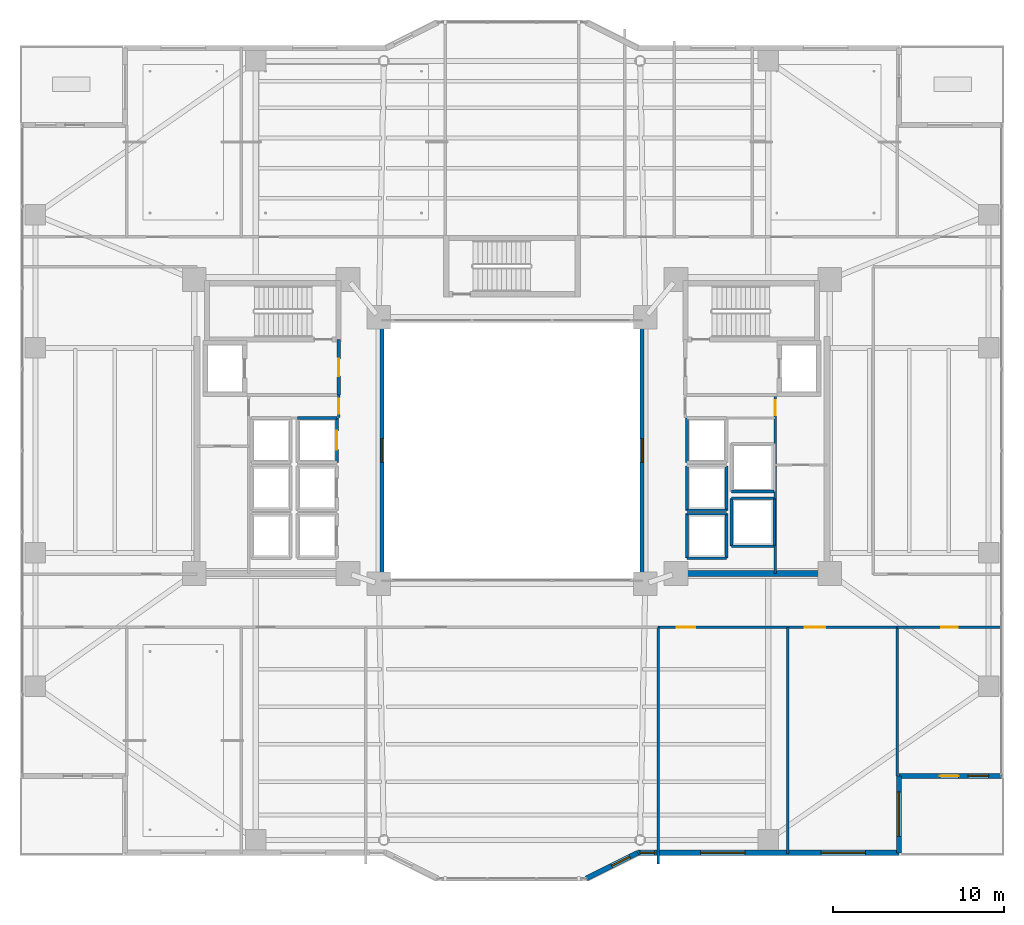
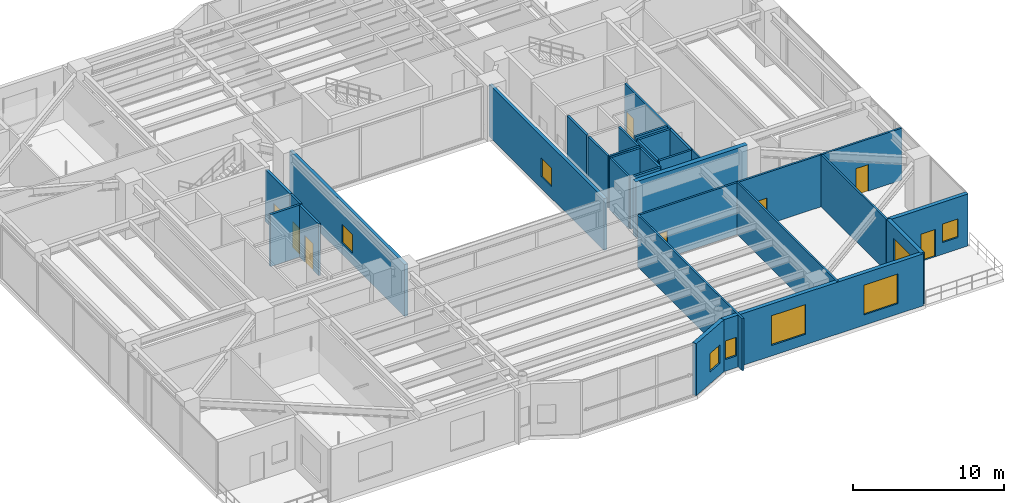
# One storey, part 30 of 40: 30 walls, 8 doors, 8 windows, 16 openings.
"""IFC4 building model written with IfcOpenShell, lengths in metres."""

from ifc_helpers import new_model, si_unit, direction, frame, frame_2d, origin, place, context, subcontext, project, spatial, rectangle, extrude, material, layer, layer_set, type_object, element, fill, save


model = new_model("IFC4")

# Units and contexts
model_context = context("Model", 3, precision=1e-05, world=origin(), true_north=direction((0.0, 1.0)))
body_context = subcontext(model_context, "Body", "Model", "MODEL_VIEW")
ifc_project = project(units=[si_unit("LENGTHUNIT", "METRE"), si_unit("AREAUNIT", "SQUARE_METRE"), si_unit("VOLUMEUNIT", "CUBIC_METRE"), si_unit("PLANEANGLEUNIT", "RADIAN"), si_unit("MASSUNIT", "GRAM", prefix="KILO")], contexts=[model_context])

# Site, building, storey
site_placement = place(None, origin())
site = spatial("IfcSite", under=ifc_project, at=site_placement, CompositionType="ELEMENT")
building_placement = place(site_placement, origin())
building = spatial("IfcBuilding", under=site, at=building_placement, Name="Tarnavaz Court Tower", CompositionType="ELEMENT")
storey_placement = place(building_placement, frame((0.0, 0.0, 64.199951171875)))
storey = spatial("IfcBuildingStorey", under=building, at=storey_placement, Name="L17", CompositionType="ELEMENT", Elevation=64.199951171875)

# Wall
ifc_material_1 = material(Name="Concrete C60/75", Category="concrete")
ifc_layer_1 = layer(ifc_material_1, 0.35009765625)
ifc_layer_set_1 = layer_set([ifc_layer_1], Name="Concrete C60/75")
wall_type_1 = type_object("IfcWallType", Name="WL-CORE-350-C60", PredefinedType="SHEAR", material=ifc_layer_set_1)
wall_1_placement = place(storey_placement, frame((10.074951171875, -7.199951171875, 0.0), z_axis=(0.0, 0.0, 1.0), x_axis=(1.0, 0.0, 0.0)))
element("IfcWall", 1, at=wall_1_placement, inside=storey, type_object=wall_type_1, Name="L17 East Core South Shear Wall 072", PredefinedType="SHEAR", context=body_context, shape_type="SweptSolid", body=[
    extrude(rectangle(XDim=8.550048828125, YDim=0.35009765625, at=frame_2d((4.27490234375, 0.0))), origin(), (0.0, 0.0, 1.0), 4.5),
])

# Wall, openings, door, window
ifc_material_2 = material(Name="Precast Concrete C40/50", Category="concrete")
ifc_layer_2 = layer(ifc_material_2, 0.300048828125)
ifc_layer_set_2 = layer_set([ifc_layer_2], Name="Precast Concrete C40/50")
wall_type_2 = type_object("IfcWallType", Name="WL-EXT-300", PredefinedType="SOLIDWALL", material=ifc_layer_set_2)
wall_2_placement = place(storey_placement, frame((28.64990234375, -19.050048828125, 0.0), z_axis=(0.0, 0.0, 1.0), x_axis=(-1.0, 0.0, 0.0)))
wall_2 = element("IfcWall", 2, at=wall_2_placement, inside=storey, type_object=wall_type_2, Name="L17 Exterior Terracotta Facade Wall 13", PredefinedType="SOLIDWALL", context=body_context, shape_type="SweptSolid", body=[
    extrude(rectangle(XDim=6.0, YDim=0.300048828125, at=frame_2d((3.0, 0.0))), origin(), (0.0, 0.0, 1.0), 4.199951171875),
])
opening_1_placement = place(wall_2_placement, frame((2.5, 0.0, 0.0)))
opening_1 = element("IfcOpeningElement", 3, at=opening_1_placement, cuts=wall_2, Name="Opening TD1", PredefinedType="OPENING", context=body_context, shape_type="SweptSolid", body=[
    extrude(rectangle(XDim=1.10009765625, YDim=2.199951171875, at=frame_2d((0.550048828125, 1.10009765625))), frame((0.0, 0.159912109375, 0.0), z_axis=(0.0, -1.0, 0.0), x_axis=(1.0, 0.0, 0.0)), (0.0, 0.0, 1.0), 0.320068359375),
])
opening_2_placement = place(wall_2_placement, frame((0.7548828125, 0.0, 0.949951171875)))
opening_2 = element("IfcOpeningElement", 4, at=opening_2_placement, cuts=wall_2, Name="Opening W05", PredefinedType="OPENING", context=body_context, shape_type="SweptSolid", body=[
    extrude(rectangle(XDim=1.199951171875, YDim=1.5, at=frame_2d((0.60009765625, 0.75))), frame((0.0, 0.159912109375, 0.0), z_axis=(0.0, -1.0, 0.0), x_axis=(1.0, 0.0, 0.0)), (0.0, 0.0, 1.0), 0.320068359375),
])
ifc_material_3 = material(Name="Thermally Broken Aluminium and Laminated Glass", Category="aluminium")
door_type_1 = type_object("IfcDoorType", Name="DR-TERR-1100", OperationType="NOTDEFINED", PredefinedType="DOOR", material=ifc_material_3)
door_1_placement = place(opening_1_placement, origin())
door_1 = element("IfcDoor", 5, at=door_1_placement, inside=storey, type_object=door_type_1, Name="L17 Sky Terrace Access Door 3", OperationType="SINGLE_SWING_LEFT", OverallHeight=2.199951171875, OverallWidth=1.10009765625, PredefinedType="DOOR", context=body_context, shape_type="SweptSolid", body=[
    extrude(rectangle(XDim=1.10009765625, YDim=2.199951171875, at=frame_2d((0.550048828125, 1.10009765625))), frame((0.0, 0.02490234375, 0.0), z_axis=(0.0, -1.0, 0.0), x_axis=(1.0, 0.0, 0.0)), (0.0, 0.0, 1.0), 0.050048828125),
])
fill(opening_1, door_1)
ifc_material_4 = material(Name="Double-Glazed Solar Low-E Glass", Category="glass")
window_type_1 = type_object("IfcWindowType", Name="WN-APT-1200", PartitioningType="SINGLE_PANEL", PredefinedType="WINDOW", material=ifc_material_4)
window_1_placement = place(opening_2_placement, origin())
window_1 = element("IfcWindow", 6, at=window_1_placement, inside=storey, type_object=window_type_1, Name="L17 L17 SE Terrace Salon Window", OverallHeight=1.5, OverallWidth=1.199951171875, PartitioningType="SINGLE_PANEL", PredefinedType="WINDOW", context=body_context, shape_type="SweptSolid", body=[
    extrude(rectangle(XDim=1.199951171875, YDim=1.5, at=frame_2d((0.60009765625, 0.75))), frame((0.0, 0.030029296875, 0.0), z_axis=(0.0, -1.0, 0.0), x_axis=(1.0, 0.0, 0.0)), (0.0, 0.0, 1.0), 0.06005859375),
])
fill(opening_2, window_1)

# Wall, opening, window
wall_3_placement = place(storey_placement, frame((22.64990234375, -19.050048828125, 0.0), z_axis=(0.0, 0.0, 1.0), x_axis=(0.0, -1.0, 0.0)))
wall_3 = element("IfcWall", 7, at=wall_3_placement, inside=storey, type_object=wall_type_2, Name="L17 Exterior Terracotta Facade Wall 14", PredefinedType="SOLIDWALL", context=body_context, shape_type="SweptSolid", body=[
    extrude(rectangle(XDim=4.5, YDim=0.300048828125, at=frame_2d((2.25, 0.0))), origin(), (0.0, 0.0, 1.0), 4.199951171875),
])
opening_3_placement = place(wall_3_placement, frame((0.9326171875, 0.0, 0.85009765625)))
opening_3 = element("IfcOpeningElement", 8, at=opening_3_placement, cuts=wall_3, Name="Opening W11", PredefinedType="OPENING", context=body_context, shape_type="SweptSolid", body=[
    extrude(rectangle(XDim=2.60009765625, YDim=2.39990234375, at=frame_2d((1.300048828125, 1.199951171875))), frame((0.0, 0.159912109375, 0.0), z_axis=(0.0, -1.0, 0.0), x_axis=(1.0, 0.0, 0.0)), (0.0, 0.0, 1.0), 0.320068359375),
])
window_type_2 = type_object("IfcWindowType", Name="WN-COM-2600", PartitioningType="TRIPLE_PANEL_VERTICAL", PredefinedType="WINDOW", material=ifc_material_4)
window_2_placement = place(opening_3_placement, origin())
window_2 = element("IfcWindow", 9, at=window_2_placement, inside=storey, type_object=window_type_2, Name="L17 L17 Communal Dining Hall Window", OverallHeight=2.39990234375, OverallWidth=2.60009765625, PartitioningType="SINGLE_PANEL", PredefinedType="WINDOW", context=body_context, shape_type="SweptSolid", body=[
    extrude(rectangle(XDim=2.60009765625, YDim=2.39990234375, at=frame_2d((1.300048828125, 1.199951171875))), frame((0.0, 0.030029296875, 0.0), z_axis=(0.0, -1.0, 0.0), x_axis=(1.0, 0.0, 0.0)), (0.0, 0.0, 1.0), 0.06005859375),
])
fill(opening_3, window_2)

# Wall, openings, windows
wall_4_placement = place(storey_placement, frame((22.64990234375, -23.550048828125, 0.0), z_axis=(0.0, 0.0, 1.0), x_axis=(-1.0, 0.0, 0.0)))
wall_4 = element("IfcWall", 10, at=wall_4_placement, inside=storey, type_object=wall_type_2, Name="L17 Exterior Terracotta Facade Wall 15", PredefinedType="SOLIDWALL", context=body_context, shape_type="SweptSolid", body=[
    extrude(rectangle(XDim=15.2998046875, YDim=0.300048828125, at=frame_2d((7.64990234375, 0.0))), origin(), (0.0, 0.0, 1.0), 4.199951171875),
])
opening_4_placement = place(wall_4_placement, frame((1.960693359375, 0.0, 0.85009765625)))
opening_4 = element("IfcOpeningElement", 11, at=opening_4_placement, cuts=wall_4, Name="Opening W11", PredefinedType="OPENING", context=body_context, shape_type="SweptSolid", body=[
    extrude(rectangle(XDim=2.60009765625, YDim=2.39990234375, at=frame_2d((1.300048828125, 1.199951171875))), frame((0.0, 0.159912109375, 0.0), z_axis=(0.0, -1.0, 0.0), x_axis=(1.0, 0.0, 0.0)), (0.0, 0.0, 1.0), 0.320068359375),
])
opening_5_placement = place(wall_4_placement, frame((9.0087890625, 0.0, 0.85009765625)))
opening_5 = element("IfcOpeningElement", 12, at=opening_5_placement, cuts=wall_4, Name="Opening W11", PredefinedType="OPENING", context=body_context, shape_type="SweptSolid", body=[
    extrude(rectangle(XDim=2.60009765625, YDim=2.39990234375, at=frame_2d((1.300048828125, 1.199951171875))), frame((0.0, 0.159912109375, 0.0), z_axis=(0.0, -1.0, 0.0), x_axis=(1.0, 0.0, 0.0)), (0.0, 0.0, 1.0), 0.320068359375),
])
opening_6_placement = place(wall_4_placement, frame((14.30322265625, 0.0, 0.949951171875)))
opening_6 = element("IfcOpeningElement", 13, at=opening_6_placement, cuts=wall_4, Name="Opening W15", PredefinedType="OPENING", context=body_context, shape_type="SweptSolid", body=[
    extrude(rectangle(XDim=0.85009765625, YDim=1.5, at=frame_2d((0.425048828125, 0.75))), frame((0.0, 0.159912109375, 0.0), z_axis=(0.0, -1.0, 0.0), x_axis=(1.0, 0.0, 0.0)), (0.0, 0.0, 1.0), 0.320068359375),
])
window_type_3 = type_object("IfcWindowType", Name="WN-APT-850", PartitioningType="SINGLE_PANEL", PredefinedType="WINDOW", material=ifc_material_4)
window_3_placement = place(opening_6_placement, origin())
window_3 = element("IfcWindow", 14, at=window_3_placement, inside=storey, type_object=window_type_3, Name="L17 L17 Central Iwan Cultural Exhibition Hall Window", OverallHeight=1.5, OverallWidth=0.85009765625, PartitioningType="SINGLE_PANEL", PredefinedType="WINDOW", context=body_context, shape_type="SweptSolid", body=[
    extrude(rectangle(XDim=0.85009765625, YDim=1.5, at=frame_2d((0.425048828125, 0.75))), frame((0.0, 0.030029296875, 0.0), z_axis=(0.0, -1.0, 0.0), x_axis=(1.0, 0.0, 0.0)), (0.0, 0.0, 1.0), 0.06005859375),
])
fill(opening_6, window_3)
window_4_placement = place(opening_4_placement, origin())
window_4 = element("IfcWindow", 15, at=window_4_placement, inside=storey, type_object=window_type_2, Name="L17 L17 Communal Dining Hall Window", OverallHeight=2.39990234375, OverallWidth=2.60009765625, PartitioningType="SINGLE_PANEL", PredefinedType="WINDOW", context=body_context, shape_type="SweptSolid", body=[
    extrude(rectangle(XDim=2.60009765625, YDim=2.39990234375, at=frame_2d((1.300048828125, 1.199951171875))), frame((0.0, 0.030029296875, 0.0), z_axis=(0.0, -1.0, 0.0), x_axis=(1.0, 0.0, 0.0)), (0.0, 0.0, 1.0), 0.06005859375),
])
fill(opening_4, window_4)
window_5_placement = place(opening_5_placement, origin())
window_5 = element("IfcWindow", 16, at=window_5_placement, inside=storey, type_object=window_type_2, Name="L17 L17 Residents Counseling Office Window", OverallHeight=2.39990234375, OverallWidth=2.60009765625, PartitioningType="SINGLE_PANEL", PredefinedType="WINDOW", context=body_context, shape_type="SweptSolid", body=[
    extrude(rectangle(XDim=2.60009765625, YDim=2.39990234375, at=frame_2d((1.300048828125, 1.199951171875))), frame((0.0, 0.030029296875, 0.0), z_axis=(0.0, -1.0, 0.0), x_axis=(1.0, 0.0, 0.0)), (0.0, 0.0, 1.0), 0.06005859375),
])
fill(opening_5, window_5)

# Wall, opening, window
wall_5_placement = place(storey_placement, frame((7.35009765625, -23.550048828125, 0.0), z_axis=(0.0, 0.0, 1.0), x_axis=(-0.894427191, -0.4472135955, 0.0)))
wall_5 = element("IfcWall", 17, at=wall_5_placement, inside=storey, type_object=wall_type_2, Name="L17 Exterior Terracotta Facade Wall 16", PredefinedType="SOLIDWALL", context=body_context, shape_type="SweptSolid", body=[
    extrude(rectangle(XDim=3.35400390625, YDim=0.300048828125, at=frame_2d((1.677001953125, 0.0))), origin(), (0.0, 0.0, 1.0), 4.199951171875),
])
opening_7_placement = place(wall_5_placement, frame((0.501220703125, 0.0, 0.949951171875)))
opening_7 = element("IfcOpeningElement", 18, at=opening_7_placement, cuts=wall_5, Name="Opening W05", PredefinedType="OPENING", context=body_context, shape_type="SweptSolid", body=[
    extrude(rectangle(XDim=1.199951171875, YDim=1.5, at=frame_2d((0.60009765625, 0.75))), frame((0.0, 0.159912109375, 0.0), z_axis=(0.0, -1.0, 0.0), x_axis=(1.0, 0.0, 0.0)), (0.0, 0.0, 1.0), 0.320068359375),
])
window_6_placement = place(opening_7_placement, origin())
window_6 = element("IfcWindow", 19, at=window_6_placement, inside=storey, type_object=window_type_1, Name="L17 L17 Central Iwan Cultural Exhibition Hall Window", OverallHeight=1.5, OverallWidth=1.199951171875, PartitioningType="SINGLE_PANEL", PredefinedType="WINDOW", context=body_context, shape_type="SweptSolid", body=[
    extrude(rectangle(XDim=1.199951171875, YDim=1.5, at=frame_2d((0.60009765625, 0.75))), frame((0.0, 0.030029296875, 0.0), z_axis=(0.0, -1.0, 0.0), x_axis=(1.0, 0.0, 0.0)), (0.0, 0.0, 1.0), 0.06005859375),
])
fill(opening_7, window_6)

# Wall, openings, doors
ifc_material_5 = material(Name="Gypsum Fire-Board on Acoustic Metal Stud", Category="masonry")
ifc_layer_3 = layer(ifc_material_5, 0.14990234375)
ifc_layer_set_3 = layer_set([ifc_layer_3], Name="Gypsum Fire-Board on Acoustic Metal Stud")
wall_type_3 = type_object("IfcWallType", Name="WL-FIRE-150", PredefinedType="PARTITIONING", material=ifc_layer_set_3)
wall_6_placement = place(storey_placement, frame((8.550048828125, -10.35009765625, 0.0), z_axis=(0.0, 0.0, 1.0), x_axis=(1.0, 0.0, 0.0)))
wall_6 = element("IfcWall", 20, at=wall_6_placement, inside=storey, type_object=wall_type_3, Name="L17 SE Corridor Wall 086", PredefinedType="PARTITIONING", context=body_context, shape_type="SweptSolid", body=[
    extrude(rectangle(XDim=14.0, YDim=0.14990234375, at=frame_2d((7.0, 0.0))), origin(), (0.0, 0.0, 1.0), 4.199951171875),
])
opening_8_placement = place(wall_6_placement, frame((1.10009765625, 0.0, 0.0)))
opening_8 = element("IfcOpeningElement", 21, at=opening_8_placement, cuts=wall_6, Name="Opening D12", PredefinedType="OPENING", context=body_context, shape_type="SweptSolid", body=[
    extrude(rectangle(XDim=1.080078125, YDim=2.14990234375, at=frame_2d((0.5400390625, 1.074951171875))), frame((0.0, 0.0849609375, 0.0), z_axis=(0.0, -1.0, 0.0), x_axis=(1.0, 0.0, 0.0)), (0.0, 0.0, 1.0), 0.169921875),
])
opening_9_placement = place(wall_6_placement, frame((8.5830078125, 0.0, 0.0)))
opening_9 = element("IfcOpeningElement", 22, at=opening_9_placement, cuts=wall_6, Name="Opening D11", PredefinedType="OPENING", context=body_context, shape_type="SweptSolid", body=[
    extrude(rectangle(XDim=1.199951171875, YDim=2.14990234375, at=frame_2d((0.60009765625, 1.074951171875))), frame((0.0, 0.0849609375, 0.0), z_axis=(0.0, -1.0, 0.0), x_axis=(1.0, 0.0, 0.0)), (0.0, 0.0, 1.0), 0.169921875),
])
ifc_material_6 = material(Name="Engineered Oak Timber", Category="wood")
door_type_2 = type_object("IfcDoorType", Name="DR-INT-1100", OperationType="NOTDEFINED", PredefinedType="DOOR", material=ifc_material_6)
door_2_placement = place(opening_8_placement, origin())
door_2 = element("IfcDoor", 23, at=door_2_placement, inside=storey, type_object=door_type_2, Name="L17 Counseling Office Door", OperationType="SINGLE_SWING_RIGHT", OverallHeight=2.14990234375, OverallWidth=1.080078125, PredefinedType="DOOR", context=body_context, shape_type="SweptSolid", body=[
    extrude(rectangle(XDim=1.080078125, YDim=2.14990234375, at=frame_2d((0.5400390625, 1.074951171875))), frame((0.0, 0.02490234375, 0.0), z_axis=(0.0, -1.0, 0.0), x_axis=(1.0, 0.0, 0.0)), (0.0, 0.0, 1.0), 0.050048828125),
])
fill(opening_8, door_2)
door_type_3 = type_object("IfcDoorType", Name="DR-INT-1200", OperationType="NOTDEFINED", PredefinedType="DOOR", material=ifc_material_6)
door_3_placement = place(opening_9_placement, origin())
door_3 = element("IfcDoor", 24, at=door_3_placement, inside=storey, type_object=door_type_3, Name="L17 L17 Communal Dining Hall Door", OperationType="SINGLE_SWING_LEFT", OverallHeight=2.14990234375, OverallWidth=1.199951171875, PredefinedType="DOOR", context=body_context, shape_type="SweptSolid", body=[
    extrude(rectangle(XDim=1.199951171875, YDim=2.14990234375, at=frame_2d((0.60009765625, 1.074951171875))), frame((0.0, 0.02490234375, 0.0), z_axis=(0.0, -1.0, 0.0), x_axis=(1.0, 0.0, 0.0)), (0.0, 0.0, 1.0), 0.050048828125),
])
fill(opening_9, door_3)

# Wall, opening, door
wall_7_placement = place(storey_placement, frame((22.550048828125, -10.35009765625, 0.0), z_axis=(0.0, 0.0, 1.0), x_axis=(1.0, 0.0, 0.0)))
wall_7 = element("IfcWall", 25, at=wall_7_placement, inside=storey, type_object=wall_type_3, Name="L17 Interior Partition 108", PredefinedType="PARTITIONING", context=body_context, shape_type="SweptSolid", body=[
    extrude(rectangle(XDim=6.1298828125, YDim=0.14990234375, at=frame_2d((3.06494140625, 0.0))), origin(), (0.0, 0.0, 1.0), 4.199951171875),
])
opening_10_placement = place(wall_7_placement, frame((2.590087890625, 0.0, 0.0)))
opening_10 = element("IfcOpeningElement", 26, at=opening_10_placement, cuts=wall_7, Name="Opening D13", PredefinedType="OPENING", context=body_context, shape_type="SweptSolid", body=[
    extrude(rectangle(XDim=0.949951171875, YDim=2.14990234375, at=frame_2d((0.47509765625, 1.074951171875))), frame((0.0, 0.0849609375, 0.0), z_axis=(0.0, -1.0, 0.0), x_axis=(1.0, 0.0, 0.0)), (0.0, 0.0, 1.0), 0.169921875),
])
door_type_4 = type_object("IfcDoorType", Name="DR-INT-950", OperationType="NOTDEFINED", PredefinedType="DOOR", material=ifc_material_6)
door_4_placement = place(opening_10_placement, origin())
door_4 = element("IfcDoor", 27, at=door_4_placement, inside=storey, type_object=door_type_4, Name="L17 SE Terrace Salon Door", OperationType="SINGLE_SWING_LEFT", OverallHeight=2.14990234375, OverallWidth=0.949951171875, PredefinedType="DOOR", context=body_context, shape_type="SweptSolid", body=[
    extrude(rectangle(XDim=0.949951171875, YDim=2.14990234375, at=frame_2d((0.47509765625, 1.074951171875))), frame((0.0, 0.02490234375, 0.0), z_axis=(0.0, -1.0, 0.0), x_axis=(1.0, 0.0, 0.0)), (0.0, 0.0, 1.0), 0.050048828125),
])
fill(opening_10, door_4)

ifc_material_7 = material(Name="Autoclaved Aerated Concrete Blockwork", Category="masonry")
ifc_layer_4 = layer(ifc_material_7, 0.199951171875)
ifc_layer_set_4 = layer_set([ifc_layer_4], Name="Autoclaved Aerated Concrete Blockwork")
wall_type_4 = type_object("IfcWallType", Name="WL-FIRE-200", PredefinedType="SOLIDWALL", material=ifc_layer_set_4)
wall_8_placement = place(storey_placement, frame((-10.14990234375, 3.25, 0.0), z_axis=(0.0, 0.0, 1.0), x_axis=(0.0, 1.0, 0.0)))
wall_8 = element("IfcWall", 28, at=wall_8_placement, inside=storey, type_object=wall_type_4, Name="L17 West Firefighting Lobby Wall 014", PredefinedType="SOLIDWALL", context=body_context, shape_type="SweptSolid", body=[
    extrude(rectangle(XDim=3.25, YDim=0.199951171875, at=frame_2d((1.625, 0.0))), origin(), (0.0, 0.0, 1.0), 4.199951171875),
])
opening_11_placement = place(wall_8_placement, frame((1.10009765625, 0.0, 0.0)))
opening_11 = element("IfcOpeningElement", 29, at=opening_11_placement, cuts=wall_8, Name="Opening D05", PredefinedType="OPENING", context=body_context, shape_type="SweptSolid", body=[
    extrude(rectangle(XDim=1.02001953125, YDim=2.14990234375, at=frame_2d((0.510009765625, 1.074951171875))), frame((0.0, 0.10986328125, 0.0), z_axis=(0.0, -1.0, 0.0), x_axis=(1.0, 0.0, 0.0)), (0.0, 0.0, 1.0), 0.219970703125),
])
ifc_material_8 = material(Name="Fire-Rated Hardwood Timber Core", Category="wood")
door_type_5 = type_object("IfcDoorType", Name="DR-FD60-1000", OperationType="NOTDEFINED", PredefinedType="DOOR", material=ifc_material_8)
door_5_placement = place(opening_11_placement, origin())
door_5 = element("IfcDoor", 30, at=door_5_placement, inside=storey, type_object=door_type_5, Name="L17 West Firefighting Lobby Door", OperationType="SINGLE_SWING_RIGHT", OverallHeight=2.14990234375, OverallWidth=1.02001953125, PredefinedType="DOOR", context=body_context, shape_type="SweptSolid", body=[
    extrude(rectangle(XDim=1.02001953125, YDim=2.14990234375, at=frame_2d((0.510009765625, 1.074951171875))), frame((0.0, 0.02490234375, 0.0), z_axis=(0.0, -1.0, 0.0), x_axis=(1.0, 0.0, 0.0)), (0.0, 0.0, 1.0), 0.050048828125),
])
fill(opening_11, door_5)

ifc_material_9 = material(Name="Gypsum Plasterboard Acoustic Partition", Category="masonry")
ifc_layer_5 = layer(ifc_material_9, 0.139892578125)
ifc_layer_set_5 = layer_set([ifc_layer_5], Name="Gypsum Plasterboard Acoustic Partition")
wall_type_5 = type_object("IfcWallType", Name="WL-PART-150", PredefinedType="PARTITIONING", material=ifc_layer_set_5)
wall_9_placement = place(storey_placement, frame((-10.14990234375, 1.919921875, 0.0), z_axis=(0.0, 0.0, 1.0), x_axis=(0.0, 1.0, 0.0)))
wall_9 = element("IfcWall", 31, at=wall_9_placement, inside=storey, type_object=wall_type_5, Name="L17 Interior Partition 074", PredefinedType="PARTITIONING", context=body_context, shape_type="SweptSolid", body=[
    extrude(rectangle(XDim=1.330078125, YDim=0.139892578125, at=frame_2d((0.6650390625, 0.0))), origin(), (0.0, 0.0, 1.0), 4.199951171875),
])
opening_12_placement = place(wall_9_placement, frame((0.219970703125, 0.0, 0.0)))
opening_12 = element("IfcOpeningElement", 32, at=opening_12_placement, cuts=wall_9, Name="Opening D09", PredefinedType="OPENING", context=body_context, shape_type="SweptSolid", body=[
    extrude(rectangle(XDim=0.89990234375, YDim=2.080078125, at=frame_2d((0.449951171875, 1.0400390625))), frame((0.0, 0.079833984375, 0.0), z_axis=(0.0, -1.0, 0.0), x_axis=(1.0, 0.0, 0.0)), (0.0, 0.0, 1.0), 0.159912109375),
])
door_type_6 = type_object("IfcDoorType", Name="DR-FD30-900", OperationType="NOTDEFINED", PredefinedType="DOOR", material=ifc_material_8)
door_6_placement = place(opening_12_placement, origin())
door_6 = element("IfcDoor", 33, at=door_6_placement, inside=storey, type_object=door_type_6, Name="L17 West Core Service Lobby Door", OperationType="SINGLE_SWING_LEFT", OverallHeight=2.080078125, OverallWidth=0.89990234375, PredefinedType="DOOR", context=body_context, shape_type="SweptSolid", body=[
    extrude(rectangle(XDim=0.89990234375, YDim=2.080078125, at=frame_2d((0.449951171875, 1.0400390625))), frame((0.0, 0.02490234375, 0.0), z_axis=(0.0, -1.0, 0.0), x_axis=(1.0, 0.0, 0.0)), (0.0, 0.0, 1.0), 0.050048828125),
])
fill(opening_12, door_6)

wall_10_placement = place(storey_placement, frame((15.39990234375, -7.199951171875, 0.0), z_axis=(0.0, 0.0, 1.0), x_axis=(0.0, 1.0, 0.0)))
wall_10 = element("IfcWall", 34, at=wall_10_placement, inside=storey, type_object=wall_type_5, Name="L17 Interior Partition 079", PredefinedType="PARTITIONING", context=body_context, shape_type="SweptSolid", body=[
    extrude(rectangle(XDim=10.449951171875, YDim=0.139892578125, at=frame_2d((5.22509765625, 0.0))), origin(), (0.0, 0.0, 1.0), 4.199951171875),
])
opening_13_placement = place(wall_10_placement, frame((9.25, 0.0, 0.0)))
opening_13 = element("IfcOpeningElement", 35, at=opening_13_placement, cuts=wall_10, Name="Opening D09", PredefinedType="OPENING", context=body_context, shape_type="SweptSolid", body=[
    extrude(rectangle(XDim=0.89990234375, YDim=2.080078125, at=frame_2d((0.449951171875, 1.0400390625))), frame((0.0, 0.079833984375, 0.0), z_axis=(0.0, -1.0, 0.0), x_axis=(1.0, 0.0, 0.0)), (0.0, 0.0, 1.0), 0.159912109375),
])
door_7_placement = place(opening_13_placement, origin())
door_7 = element("IfcDoor", 36, at=door_7_placement, inside=storey, type_object=door_type_6, Name="L17 East Wet Riser Door", OperationType="SINGLE_SWING_LEFT", OverallHeight=2.080078125, OverallWidth=0.89990234375, PredefinedType="DOOR", context=body_context, shape_type="SweptSolid", body=[
    extrude(rectangle(XDim=0.89990234375, YDim=2.080078125, at=frame_2d((0.449951171875, 1.0400390625))), frame((0.0, 0.02490234375, 0.0), z_axis=(0.0, -1.0, 0.0), x_axis=(1.0, 0.0, 0.0)), (0.0, 0.0, 1.0), 0.050048828125),
])
fill(opening_13, door_7)

# Walls
wall_11_placement = place(storey_placement, frame((8.550048828125, -24.2041015625, 0.0), z_axis=(0.0, 0.0, 1.0), x_axis=(0.0, 1.0, 0.0)))
element("IfcWall", 37, at=wall_11_placement, inside=storey, type_object=wall_type_5, Name="L17 Interior Partition 095", PredefinedType="PARTITIONING", context=body_context, shape_type="SweptSolid", body=[
    extrude(rectangle(XDim=13.85400390625, YDim=0.139892578125, at=frame_2d((6.927001953125, 0.0))), origin(), (0.0, 0.0, 1.0), 4.199951171875),
])
wall_12_placement = place(storey_placement, frame((16.133056640625, -23.60009765625, 0.0), z_axis=(0.0, 0.0, 1.0), x_axis=(0.0, 1.0, 0.0)))
element("IfcWall", 38, at=wall_12_placement, inside=storey, type_object=wall_type_5, Name="L17 Interior Partition 096", PredefinedType="PARTITIONING", context=body_context, shape_type="SweptSolid", body=[
    extrude(rectangle(XDim=13.25, YDim=0.139892578125, at=frame_2d((6.625, 0.0))), origin(), (0.0, 0.0, 1.0), 4.199951171875),
])
wall_13_placement = place(storey_placement, frame((22.550048828125, -19.050048828125, 0.0), z_axis=(0.0, 0.0, 1.0), x_axis=(0.0, 1.0, 0.0)))
element("IfcWall", 39, at=wall_13_placement, inside=storey, type_object=wall_type_5, Name="L17 Interior Partition 102", PredefinedType="PARTITIONING", context=body_context, shape_type="SweptSolid", body=[
    extrude(rectangle(XDim=8.699951171875, YDim=0.139892578125, at=frame_2d((4.35009765625, 0.0))), origin(), (0.0, 0.0, 1.0), 4.199951171875),
])

# Wall, opening, door
ifc_layer_6 = layer(ifc_material_7, 0.159912109375)
ifc_layer_set_6 = layer_set([ifc_layer_6], Name="Autoclaved Aerated Concrete Blockwork")
wall_type_6 = type_object("IfcWallType", Name="WL-SHAFT-150", PredefinedType="SOLIDWALL", material=ifc_layer_set_6)
wall_14_placement = place(storey_placement, frame((-10.25, -0.699951171875, 0.0), z_axis=(0.0, 0.0, 1.0), x_axis=(0.0, 1.0, 0.0)))
wall_14 = element("IfcWall", 40, at=wall_14_placement, inside=storey, type_object=wall_type_6, Name="L17 Lift PL-L3 Shaft Wall 030", PredefinedType="SOLIDWALL", context=body_context, shape_type="SweptSolid", body=[
    extrude(rectangle(XDim=2.599853515625, YDim=0.159912109375, at=frame_2d((1.2998046875, 0.0))), origin(), (0.0, 0.0, 1.0), 4.199951171875),
])
opening_14_placement = place(wall_14_placement, frame((0.75, 0.0, 0.0)))
opening_14 = element("IfcOpeningElement", 41, at=opening_14_placement, cuts=wall_14, Name="Opening LD1", PredefinedType="OPENING", context=body_context, shape_type="SweptSolid", body=[
    extrude(rectangle(XDim=1.10009765625, YDim=2.14990234375, at=frame_2d((0.550048828125, 1.074951171875))), frame((0.0, 0.08984375, 0.0), z_axis=(0.0, -1.0, 0.0), x_axis=(1.0, 0.0, 0.0)), (0.0, 0.0, 1.0), 0.179931640625),
])
ifc_material_10 = material(Name="Stainless Steel", Category="steel")
door_type_7 = type_object("IfcDoorType", Name="DR-LD-1100", OperationType="NOTDEFINED", PredefinedType="DOOR", material=ifc_material_10)
door_8_placement = place(opening_14_placement, origin())
door_8 = element("IfcDoor", 42, at=door_8_placement, inside=storey, type_object=door_type_7, Name="L17 Lift Landing Door LD-PL-L3", OperationType="SLIDING_TO_LEFT", OverallHeight=2.14990234375, OverallWidth=1.10009765625, PredefinedType="DOOR", context=body_context, shape_type="SweptSolid", body=[
    extrude(rectangle(XDim=1.10009765625, YDim=2.14990234375, at=frame_2d((0.550048828125, 1.074951171875))), frame((0.0, 0.02490234375, 0.0), z_axis=(0.0, -1.0, 0.0), x_axis=(1.0, 0.0, 0.0)), (0.0, 0.0, 1.0), 0.050048828125),
])
fill(opening_14, door_8)

# Walls
wall_15_placement = place(storey_placement, frame((-12.550048828125, 1.89990234375, 0.0), z_axis=(0.0, 0.0, 1.0), x_axis=(1.0, 0.0, 0.0)))
element("IfcWall", 43, at=wall_15_placement, inside=storey, type_object=wall_type_6, Name="L17 Lift PL-L3 Shaft Wall 032", PredefinedType="SOLIDWALL", context=body_context, shape_type="SweptSolid", body=[
    extrude(rectangle(XDim=2.300048828125, YDim=0.159912109375, at=frame_2d((1.14990234375, 0.0))), origin(), (0.0, 0.0, 1.0), 4.199951171875),
])
for number, where, z_axis, x_axis, name in (
    (44, (10.25, -6.300048828125, 0.0), (0.0, 0.0, 1.0), (0.0, 1.0, 0.0), "L17 Lift PL-M1 Shaft Wall 049"),
    (45, (12.550048828125, -6.300048828125, 0.0), (0.0, 0.0, 1.0), (0.0, 1.0, 0.0), "L17 Lift PL-M1 Shaft Wall 050"),
):
    element("IfcWall", number, at=place(storey_placement, frame(where, z_axis=z_axis, x_axis=x_axis)), inside=storey, type_object=wall_type_6, Name=name, PredefinedType="SOLIDWALL", context=body_context, shape_type="SweptSolid", body=[
        extrude(rectangle(XDim=2.60009765625, YDim=0.159912109375, at=frame_2d((1.300048828125, 0.0))), origin(), (0.0, 0.0, 1.0), 4.199951171875),
    ])
for number, where, z_axis, x_axis, name in (
    (46, (10.25, -6.300048828125, 0.0), (0.0, 0.0, 1.0), (1.0, 0.0, 0.0), "L17 Lift PL-M1 Shaft Wall 051"),
    (47, (10.25, -3.699951171875, 0.0), (0.0, 0.0, 1.0), (1.0, 0.0, 0.0), "L17 Lift PL-M1 Shaft Wall 052"),
):
    element("IfcWall", number, at=place(storey_placement, frame(where, z_axis=z_axis, x_axis=x_axis)), inside=storey, type_object=wall_type_6, Name=name, PredefinedType="SOLIDWALL", context=body_context, shape_type="SweptSolid", body=[
        extrude(rectangle(XDim=2.300048828125, YDim=0.159912109375, at=frame_2d((1.14990234375, 0.0))), origin(), (0.0, 0.0, 1.0), 4.199951171875),
    ])
for number, where, z_axis, x_axis, name in (
    (48, (10.25, -3.5, 0.0), (0.0, 0.0, 1.0), (0.0, 1.0, 0.0), "L17 Lift PL-M2 Shaft Wall 053"),
    (49, (12.550048828125, -3.5, 0.0), (0.0, 0.0, 1.0), (0.0, 1.0, 0.0), "L17 Lift PL-M2 Shaft Wall 054"),
):
    element("IfcWall", number, at=place(storey_placement, frame(where, z_axis=z_axis, x_axis=x_axis)), inside=storey, type_object=wall_type_6, Name=name, PredefinedType="SOLIDWALL", context=body_context, shape_type="SweptSolid", body=[
        extrude(rectangle(XDim=2.60009765625, YDim=0.159912109375, at=frame_2d((1.300048828125, 0.0))), origin(), (0.0, 0.0, 1.0), 4.199951171875),
    ])
wall_16_placement = place(storey_placement, frame((10.25, -3.5, 0.0), z_axis=(0.0, 0.0, 1.0), x_axis=(1.0, 0.0, 0.0)))
element("IfcWall", 50, at=wall_16_placement, inside=storey, type_object=wall_type_6, Name="L17 Lift PL-M2 Shaft Wall 055", PredefinedType="SOLIDWALL", context=body_context, shape_type="SweptSolid", body=[
    extrude(rectangle(XDim=2.300048828125, YDim=0.159912109375, at=frame_2d((1.14990234375, 0.0))), origin(), (0.0, 0.0, 1.0), 4.199951171875),
])
wall_17_placement = place(storey_placement, frame((10.25, -0.699951171875, 0.0), z_axis=(0.0, 0.0, 1.0), x_axis=(0.0, 1.0, 0.0)))
element("IfcWall", 51, at=wall_17_placement, inside=storey, type_object=wall_type_6, Name="L17 Lift PL-M3 Shaft Wall 057", PredefinedType="SOLIDWALL", context=body_context, shape_type="SweptSolid", body=[
    extrude(rectangle(XDim=2.599853515625, YDim=0.159912109375, at=frame_2d((1.2998046875, 0.0))), origin(), (0.0, 0.0, 1.0), 4.199951171875),
])
for number, where, z_axis, x_axis, name in (
    (52, (12.85009765625, -5.60009765625, 0.0), (0.0, 0.0, 1.0), (0.0, 1.0, 0.0), "L17 Lift PL-OB1 Shaft Wall 061"),
    (53, (15.35009765625, -5.60009765625, 0.0), (0.0, 0.0, 1.0), (0.0, 1.0, 0.0), "L17 Lift PL-OB1 Shaft Wall 062"),
):
    element("IfcWall", number, at=place(storey_placement, frame(where, z_axis=z_axis, x_axis=x_axis)), inside=storey, type_object=wall_type_6, Name=name, PredefinedType="SOLIDWALL", context=body_context, shape_type="SweptSolid", body=[
        extrude(rectangle(XDim=2.800048828125, YDim=0.159912109375, at=frame_2d((1.39990234375, 0.0))), origin(), (0.0, 0.0, 1.0), 4.199951171875),
    ])
for number, where, z_axis, x_axis, name in (
    (54, (12.85009765625, -5.60009765625, 0.0), (0.0, 0.0, 1.0), (1.0, 0.0, 0.0), "L17 Lift PL-OB1 Shaft Wall 063"),
    (55, (12.85009765625, -2.800048828125, 0.0), (0.0, 0.0, 1.0), (1.0, 0.0, 0.0), "L17 Lift PL-OB1 Shaft Wall 064"),
    (56, (12.85009765625, -2.39990234375, 0.0), (0.0, 0.0, 1.0), (1.0, 0.0, 0.0), "L17 Lift PL-OB2 Shaft Wall 067"),
):
    element("IfcWall", number, at=place(storey_placement, frame(where, z_axis=z_axis, x_axis=x_axis)), inside=storey, type_object=wall_type_6, Name=name, PredefinedType="SOLIDWALL", context=body_context, shape_type="SweptSolid", body=[
        extrude(rectangle(XDim=2.5, YDim=0.159912109375, at=frame_2d((1.25, 0.0))), origin(), (0.0, 0.0, 1.0), 4.199951171875),
    ])

# Wall, opening, window
ifc_layer_7 = layer(ifc_material_2, 0.239990234375)
ifc_layer_set_7 = layer_set([ifc_layer_7], Name="Precast Concrete C40/50")
wall_type_7 = type_object("IfcWallType", Name="WL-WELL-240", PredefinedType="SOLIDWALL", material=ifc_layer_set_7)
wall_18_placement = place(storey_placement, frame((7.6201171875, -7.6201171875, 0.0), z_axis=(0.0, 0.0, 1.0), x_axis=(0.0, 1.0, 0.0)))
wall_18 = element("IfcWall", 57, at=wall_18_placement, inside=storey, type_object=wall_type_7, Name="L17 Badgir Light-Well Exterior Wall E", PredefinedType="SOLIDWALL", context=body_context, shape_type="SweptSolid", body=[
    extrude(rectangle(XDim=15.240234375, YDim=0.239990234375, at=frame_2d((7.6201171875, 0.0))), origin(), (0.0, 0.0, 1.0), 4.199951171875),
])
opening_15_placement = place(wall_18_placement, frame((6.919921875, 0.0, 0.949951171875)))
opening_15 = element("IfcOpeningElement", 58, at=opening_15_placement, cuts=wall_18, Name="Opening W13", PredefinedType="OPENING", context=body_context, shape_type="SweptSolid", body=[
    extrude(rectangle(XDim=1.39990234375, YDim=1.5, at=frame_2d((0.699951171875, 0.75))), frame((0.0, 0.1298828125, 0.0), z_axis=(0.0, -1.0, 0.0), x_axis=(1.0, 0.0, 0.0)), (0.0, 0.0, 1.0), 0.260009765625),
])
window_type_4 = type_object("IfcWindowType", Name="WN-WEL-1400", PartitioningType="SINGLE_PANEL", PredefinedType="WINDOW", material=ifc_material_4)
window_7_placement = place(opening_15_placement, origin())
window_7 = element("IfcWindow", 59, at=window_7_placement, inside=storey, type_object=window_type_4, Name="L17 Courtyard Gallery Window E", OverallHeight=1.5, OverallWidth=1.39990234375, PartitioningType="SINGLE_PANEL", PredefinedType="WINDOW", context=body_context, shape_type="SweptSolid", body=[
    extrude(rectangle(XDim=1.39990234375, YDim=1.5, at=frame_2d((0.699951171875, 0.75))), frame((0.0, 0.030029296875, 0.0), z_axis=(0.0, -1.0, 0.0), x_axis=(1.0, 0.0, 0.0)), (0.0, 0.0, 1.0), 0.06005859375),
])
fill(opening_15, window_7)

wall_19_placement = place(storey_placement, frame((-7.6201171875, 7.6201171875, 0.0), z_axis=(0.0, 0.0, 1.0), x_axis=(0.0, -1.0, 0.0)))
wall_19 = element("IfcWall", 60, at=wall_19_placement, inside=storey, type_object=wall_type_7, Name="L17 Badgir Light-Well Exterior Wall W", PredefinedType="SOLIDWALL", context=body_context, shape_type="SweptSolid", body=[
    extrude(rectangle(XDim=15.240234375, YDim=0.239990234375, at=frame_2d((7.6201171875, 0.0))), origin(), (0.0, 0.0, 1.0), 4.199951171875),
])
opening_16_placement = place(wall_19_placement, frame((6.919921875, 0.0, 0.949951171875)))
opening_16 = element("IfcOpeningElement", 61, at=opening_16_placement, cuts=wall_19, Name="Opening W13", PredefinedType="OPENING", context=body_context, shape_type="SweptSolid", body=[
    extrude(rectangle(XDim=1.39990234375, YDim=1.5, at=frame_2d((0.699951171875, 0.75))), frame((0.0, 0.1298828125, 0.0), z_axis=(0.0, -1.0, 0.0), x_axis=(1.0, 0.0, 0.0)), (0.0, 0.0, 1.0), 0.260009765625),
])
window_8_placement = place(opening_16_placement, origin())
window_8 = element("IfcWindow", 62, at=window_8_placement, inside=storey, type_object=window_type_4, Name="L17 Courtyard Gallery Window W", OverallHeight=1.5, OverallWidth=1.39990234375, PartitioningType="SINGLE_PANEL", PredefinedType="WINDOW", context=body_context, shape_type="SweptSolid", body=[
    extrude(rectangle(XDim=1.39990234375, YDim=1.5, at=frame_2d((0.699951171875, 0.75))), frame((0.0, 0.030029296875, 0.0), z_axis=(0.0, -1.0, 0.0), x_axis=(1.0, 0.0, 0.0)), (0.0, 0.0, 1.0), 0.06005859375),
])
fill(opening_16, window_8)

save(model, "model.ifc")
